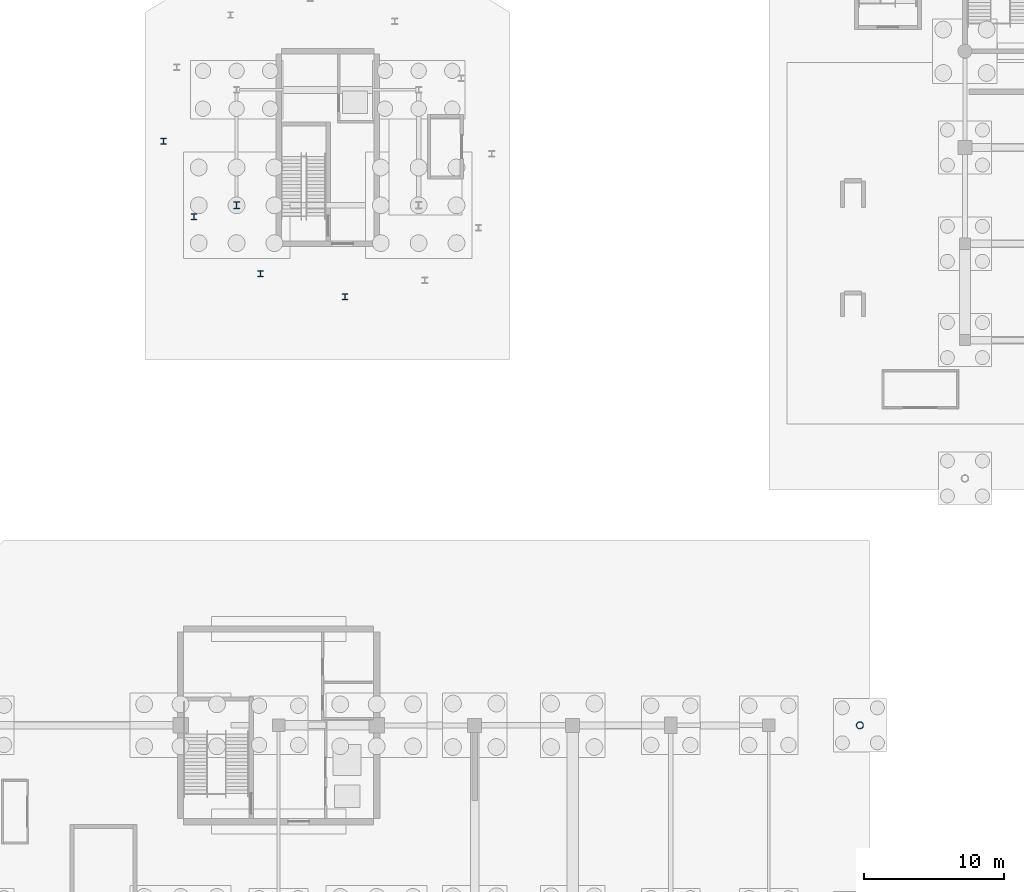
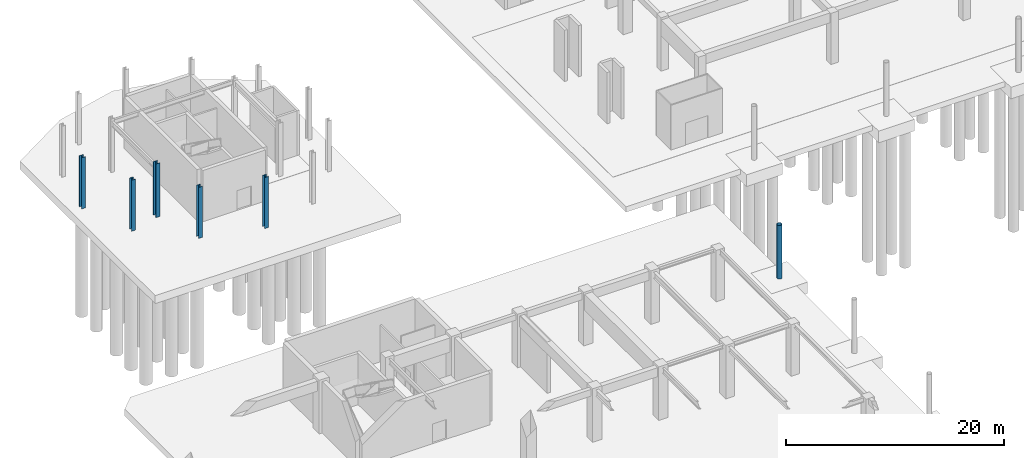
# One storey, part 23 of 62: 6 columns.
"""IFC4 building model written with IfcOpenShell, lengths in metres."""

from ifc_helpers import new_model, si_unit, direction, frame, origin, origin_2d, place, context, subcontext, project, spatial, hollow_circle, i_section, extrude, material, material_profile, profile_set, type_object, element, save


model = new_model("IFC4")

# Units and contexts
model_context = context("Model", 3, precision=1e-05, world=origin(), true_north=direction((0.0, 1.0)))
body_context = subcontext(model_context, "Body", "Model", "MODEL_VIEW")
ifc_project = project(units=[si_unit("LENGTHUNIT", "METRE"), si_unit("AREAUNIT", "SQUARE_METRE"), si_unit("VOLUMEUNIT", "CUBIC_METRE"), si_unit("PLANEANGLEUNIT", "RADIAN"), si_unit("MASSUNIT", "GRAM", prefix="KILO")], contexts=[model_context])

# Site, building, storey
site_placement = place(None, origin())
site = spatial("IfcSite", under=ifc_project, at=site_placement, CompositionType="ELEMENT")
building_placement = place(site_placement, origin())
building = spatial("IfcBuilding", under=site, at=building_placement, Name="Linyun Crest Stadium", CompositionType="ELEMENT")
storey_placement = place(building_placement, frame((0.0, 0.0, -6.0)))
storey = spatial("IfcBuildingStorey", under=building, at=storey_placement, Name="B1", CompositionType="ELEMENT", Elevation=-6.0)

# Columns
ifc_material_1 = material(Name="Steel Q355C", Category="steel")
ifc_material_profile_1 = material_profile(ifc_material_1, i_section(OverallWidth=0.406982421875, OverallDepth=0.427978515625, WebThickness=0.02001953125, FlangeThickness=0.034912109375, at=origin_2d()), Name="HW 428x407")
ifc_profile_set_1 = profile_set([ifc_material_profile_1], Name="Steel Q355C")
column_type_1 = type_object("IfcColumnType", Name="SC03", PredefinedType="COLUMN", material=ifc_profile_set_1)
for number, where, z_axis, x_axis, name in (
    (1, (-85.222900390625, 85.08203125, 0.0), (0.0, 0.0, 1.0), (1.0, 0.0, 0.0), "Pod V-leg base column SC03 B1 974"),
    (2, (-83.032958984375, 79.68896484375, 0.0), (0.0, 0.0, 1.0), (1.0, 0.0, 0.0), "Pod V-leg base column SC03 B1 978"),
    (3, (-78.2890625, 75.618896484375, 0.0), (0.0, 0.0, 1.0), (1.0, 0.0, 0.0), "Pod V-leg base column SC03 B1 982"),
    (4, (-72.260986328125, 73.9619140625, 0.0), (0.0, 0.0, 1.0), (1.0, 0.0, 0.0), "Pod V-leg base column SC03 B1 986"),
):
    element("IfcColumn", number, at=place(storey_placement, frame(where, z_axis=z_axis, x_axis=x_axis)), inside=storey, type_object=column_type_1, Name=name, PredefinedType="COLUMN", context=body_context, shape_type="SweptSolid", body=[
        extrude(i_section(OverallWidth=0.406982421875, OverallDepth=0.427978515625, WebThickness=0.02001953125, FlangeThickness=0.034912109375, at=origin_2d()), origin(), (0.0, 0.0, 1.0), 5.718017578125),
    ])
ifc_material_2 = material(Name="Steel Q420C", Category="steel")
ifc_material_profile_2 = material_profile(ifc_material_2, i_section(OverallWidth=0.431884765625, OverallDepth=0.498046875, WebThickness=0.02392578125, FlangeThickness=0.0380859375, at=origin_2d()), Name="HW 498x432")
ifc_profile_set_2 = profile_set([ifc_material_profile_2], Name="Steel Q420C")
column_type_2 = type_object("IfcColumnType", Name="SC04", PredefinedType="COLUMN", material=ifc_profile_set_2)
column_1_placement = place(storey_placement, frame((-80.0, 80.5, 0.0), z_axis=(0.0, 0.0, 1.0), x_axis=(1.0, 0.0, 0.0)))
element("IfcColumn", 5, at=column_1_placement, inside=storey, type_object=column_type_2, Name="Column SC04 B1 794", PredefinedType="COLUMN", context=body_context, shape_type="SweptSolid", body=[
    extrude(i_section(OverallWidth=0.431884765625, OverallDepth=0.498046875, WebThickness=0.02392578125, FlangeThickness=0.0380859375, at=origin_2d()), origin(), (0.0, 0.0, 1.0), 5.998046875),
])
ifc_material_3 = material(Name="Steel Q355C", Category="steel")
ifc_material_profile_3 = material_profile(ifc_material_3, hollow_circle(Radius=0.25390625, WallThickness=0.02490234375, at=origin_2d()), Name="CHS 508x25")
ifc_profile_set_3 = profile_set([ifc_material_profile_3], Name="Steel Q355C")
column_type_3 = type_object("IfcColumnType", Name="SC05", PredefinedType="COLUMN", material=ifc_profile_set_3)
column_2_placement = place(storey_placement, frame((-35.5, 43.375, 0.0), z_axis=(0.0, 0.0, 1.0), x_axis=(1.0, 0.0, 0.0)))
element("IfcColumn", 6, at=column_2_placement, inside=storey, type_object=column_type_3, Name="Arch colonnade column SC05 B1 16", PredefinedType="COLUMN", context=body_context, shape_type="SweptSolid", body=[
    extrude(hollow_circle(Radius=0.25390625, WallThickness=0.02490234375, at=origin_2d()), origin(), (0.0, 0.0, 1.0), 6.0),
])

save(model, "model.ifc")
